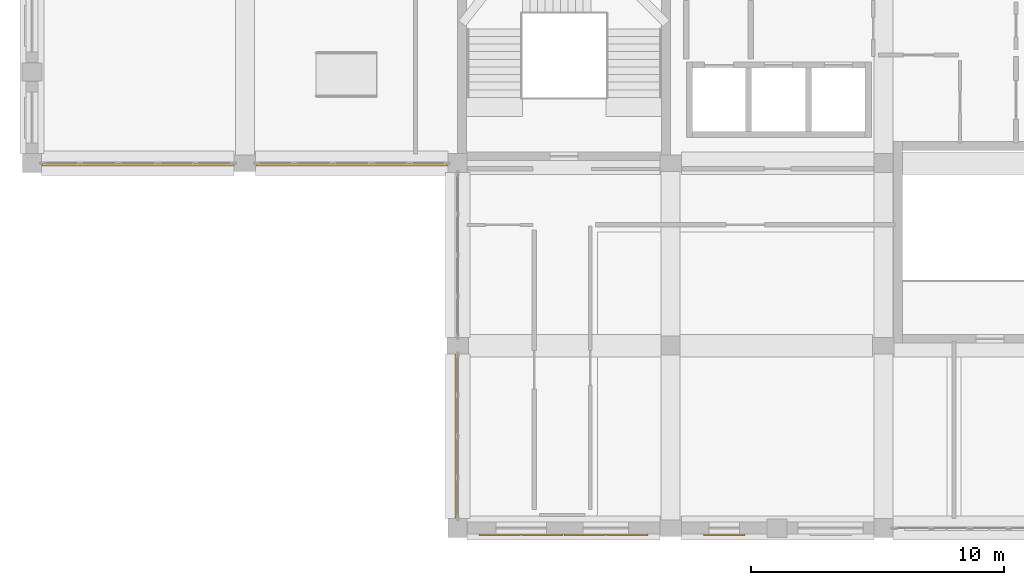
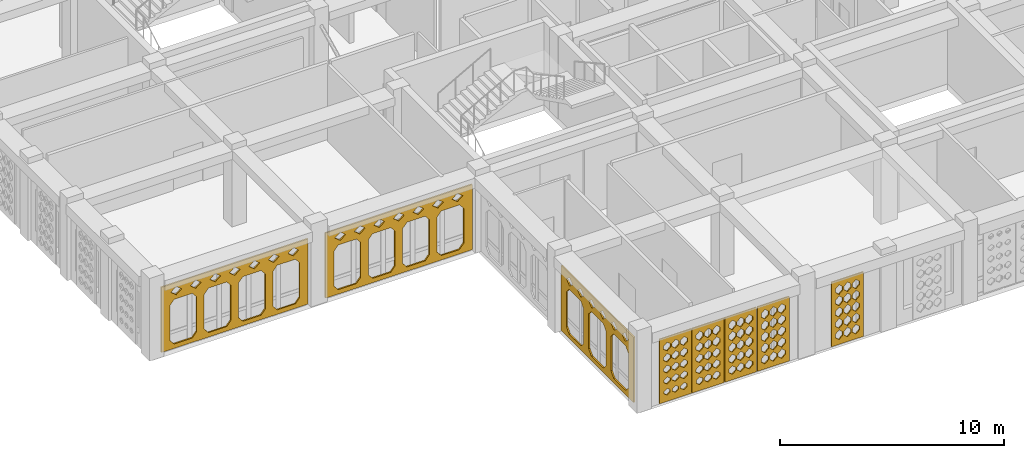
# One storey, part 74 of 111: 8 coverings.
"""IFC4 building model written with IfcOpenShell, lengths in metres."""

from ifc_helpers import new_model, si_unit, derived_unit, direction, frame, origin, place, context, subcontext, project, spatial, polyline, outline, extrude, material, layer, layer_set, type_object, element, save


model = new_model("IFC4")

# Units and contexts
model_context = context("Model", 3, precision=1e-05, world=origin(), true_north=direction((0.0, 1.0)))
body_context = subcontext(model_context, "Body", "Model", "MODEL_VIEW")
ifc_project = project(units=[si_unit("LENGTHUNIT", "METRE"), si_unit("AREAUNIT", "SQUARE_METRE"), si_unit("VOLUMEUNIT", "CUBIC_METRE"), si_unit("PLANEANGLEUNIT", "RADIAN"), si_unit("MASSUNIT", "GRAM", prefix="KILO"), derived_unit("THERMALTRANSMITTANCEUNIT", [(si_unit("POWERUNIT", "WATT"), 1), (si_unit("LENGTHUNIT", "METRE"), -2), (si_unit("THERMODYNAMICTEMPERATUREUNIT", "KELVIN"), -1)])], contexts=[model_context])

# Site, building, storey
site_placement = place(None, origin())
site = spatial("IfcSite", under=ifc_project, at=site_placement, CompositionType="ELEMENT")
building_placement = place(site_placement, origin())
building = spatial("IfcBuilding", under=site, at=building_placement, Name="Veybourne Emporium", CompositionType="ELEMENT")
storey_placement = place(building_placement, frame((0.0, 0.0, 9.89990234375)))
storey = spatial("IfcBuildingStorey", under=building, at=storey_placement, Name="L02", CompositionType="ELEMENT", Elevation=9.89990234375)

# Coverings
ifc_material_1 = material(Name="Patinated Dark Bronze Fretwork", Category="bronze")
ifc_layer_1 = layer(ifc_material_1, 0.074951171875)
ifc_layer_set_1 = layer_set([ifc_layer_1], Name="Patinated Dark Bronze Fretwork")
covering_type_1 = type_object("IfcCoveringType", Name="Fretwork_FRT-02", PredefinedType="CLADDING", material=ifc_layer_set_1)
covering_1_placement = place(storey_placement, frame((4.175048828125, 14.28955078125, 1.815185546875), z_axis=(0.0, 1.0, 0.0), x_axis=(-1.0, 0.0, 0.0)))
element("IfcCovering", 1, at=covering_1_placement, inside=storey, type_object=covering_type_1, Name="Corner entrance dark bronze lace fretwork portal L02-001", PredefinedType="CLADDING", context=body_context, shape_type="SweptSolid", body=[
    extrude(outline(polyline([(-3.780029296875, -1.77490234375), (3.780029296875, -1.77490234375), (3.780029296875, 1.77490234375), (-3.780029296875, 1.77490234375), (-3.780029296875, -1.77490234375)]), holes=[polyline([(-3.12451171875, 0.89501953125), (-2.185546875, 0.89501953125), (-1.964599609375, 0.627685546875), (-1.964599609375, -1.267578125), (-2.185546875, -1.534912109375), (-3.12451171875, -1.534912109375), (-3.34521484375, -1.267578125), (-3.34521484375, 0.627685546875), (-3.12451171875, 0.89501953125)]), polyline([(-1.3544921875, 0.89501953125), (-0.41552734375, 0.89501953125), (-0.194580078125, 0.627685546875), (-0.194580078125, -1.267578125), (-0.41552734375, -1.534912109375), (-1.3544921875, -1.534912109375), (-1.5751953125, -1.267578125), (-1.5751953125, 0.627685546875), (-1.3544921875, 0.89501953125)]), polyline([(0.41552734375, 0.89501953125), (1.3544921875, 0.89501953125), (1.5751953125, 0.627685546875), (1.5751953125, -1.267578125), (1.3544921875, -1.534912109375), (0.41552734375, -1.534912109375), (0.194580078125, -1.267578125), (0.194580078125, 0.627685546875), (0.41552734375, 0.89501953125)]), polyline([(2.185546875, 0.89501953125), (3.12451171875, 0.89501953125), (3.34521484375, 0.627685546875), (3.34521484375, -1.267578125), (3.12451171875, -1.534912109375), (2.185546875, -1.534912109375), (1.964599609375, -1.267578125), (1.964599609375, 0.627685546875), (2.185546875, 0.89501953125)]), polyline([(-3.01708984375, 1.56298828125), (-2.737060546875, 1.3349609375), (-3.01708984375, 1.10693359375), (-3.297119140625, 1.3349609375), (-3.01708984375, 1.56298828125)]), polyline([(-2.011474609375, 1.56298828125), (-1.7314453125, 1.3349609375), (-2.011474609375, 1.10693359375), (-2.29150390625, 1.3349609375), (-2.011474609375, 1.56298828125)]), polyline([(-1.005615234375, 1.56298828125), (-0.7255859375, 1.3349609375), (-1.005615234375, 1.10693359375), (-1.28564453125, 1.3349609375), (-1.005615234375, 1.56298828125)]), polyline([(0.0, 1.56298828125), (0.280029296875, 1.3349609375), (0.0, 1.10693359375), (-0.280029296875, 1.3349609375), (0.0, 1.56298828125)]), polyline([(1.005615234375, 1.56298828125), (1.28564453125, 1.3349609375), (1.005615234375, 1.10693359375), (0.7255859375, 1.3349609375), (1.005615234375, 1.56298828125)]), polyline([(2.011474609375, 1.56298828125), (2.29150390625, 1.3349609375), (2.011474609375, 1.10693359375), (1.7314453125, 1.3349609375), (2.011474609375, 1.56298828125)]), polyline([(3.01708984375, 1.56298828125), (3.297119140625, 1.3349609375), (3.01708984375, 1.10693359375), (2.737060546875, 1.3349609375), (3.01708984375, 1.56298828125)])]), origin(), (0.0, 0.0, 1.0), 0.074951171875),
])
covering_2_placement = place(storey_placement, frame((12.625, 14.2880859375, 1.815185546875), z_axis=(0.0, 1.0, 0.0), x_axis=(-1.0, 0.0, 0.0)))
element("IfcCovering", 2, at=covering_2_placement, inside=storey, type_object=covering_type_1, Name="Corner entrance dark bronze lace fretwork portal L02-012", PredefinedType="CLADDING", context=body_context, shape_type="SweptSolid", body=[
    extrude(outline(polyline([(-3.780029296875, -1.77490234375), (3.780029296875, -1.77490234375), (3.780029296875, 1.77490234375), (-3.780029296875, 1.77490234375), (-3.780029296875, -1.77490234375)]), holes=[polyline([(-3.12451171875, 0.89501953125), (-2.185546875, 0.89501953125), (-1.964599609375, 0.627685546875), (-1.964599609375, -1.267578125), (-2.185546875, -1.534912109375), (-3.12451171875, -1.534912109375), (-3.34521484375, -1.267578125), (-3.34521484375, 0.627685546875), (-3.12451171875, 0.89501953125)]), polyline([(-1.3544921875, 0.89501953125), (-0.41552734375, 0.89501953125), (-0.194580078125, 0.627685546875), (-0.194580078125, -1.267578125), (-0.41552734375, -1.534912109375), (-1.3544921875, -1.534912109375), (-1.5751953125, -1.267578125), (-1.5751953125, 0.627685546875), (-1.3544921875, 0.89501953125)]), polyline([(0.41552734375, 0.89501953125), (1.3544921875, 0.89501953125), (1.5751953125, 0.627685546875), (1.5751953125, -1.267578125), (1.3544921875, -1.534912109375), (0.41552734375, -1.534912109375), (0.194580078125, -1.267578125), (0.194580078125, 0.627685546875), (0.41552734375, 0.89501953125)]), polyline([(2.185546875, 0.89501953125), (3.12451171875, 0.89501953125), (3.34521484375, 0.627685546875), (3.34521484375, -1.267578125), (3.12451171875, -1.534912109375), (2.185546875, -1.534912109375), (1.964599609375, -1.267578125), (1.964599609375, 0.627685546875), (2.185546875, 0.89501953125)]), polyline([(-3.01708984375, 1.56298828125), (-2.737060546875, 1.3349609375), (-3.01708984375, 1.10693359375), (-3.297119140625, 1.3349609375), (-3.01708984375, 1.56298828125)]), polyline([(-2.011474609375, 1.56298828125), (-1.7314453125, 1.3349609375), (-2.011474609375, 1.10693359375), (-2.29150390625, 1.3349609375), (-2.011474609375, 1.56298828125)]), polyline([(-1.005615234375, 1.56298828125), (-0.7255859375, 1.3349609375), (-1.005615234375, 1.10693359375), (-1.28564453125, 1.3349609375), (-1.005615234375, 1.56298828125)]), polyline([(0.0, 1.56298828125), (0.280029296875, 1.3349609375), (0.0, 1.10693359375), (-0.280029296875, 1.3349609375), (0.0, 1.56298828125)]), polyline([(1.005615234375, 1.56298828125), (1.28564453125, 1.3349609375), (1.005615234375, 1.10693359375), (0.7255859375, 1.3349609375), (1.005615234375, 1.56298828125)]), polyline([(2.011474609375, 1.56298828125), (2.29150390625, 1.3349609375), (2.011474609375, 1.10693359375), (1.7314453125, 1.3349609375), (2.011474609375, 1.56298828125)]), polyline([(3.01708984375, 1.56298828125), (3.297119140625, 1.3349609375), (3.01708984375, 1.10693359375), (2.737060546875, 1.3349609375), (3.01708984375, 1.56298828125)])]), origin(), (0.0, 0.0, 1.0), 0.074951171875),
])
covering_3_placement = place(storey_placement, frame((16.69189453125, 3.625, 1.815185546875), z_axis=(1.0, 0.0, 0.0), x_axis=(0.0, 1.0, 0.0)))
element("IfcCovering", 3, at=covering_3_placement, inside=storey, type_object=covering_type_1, Name="Corner entrance dark bronze lace fretwork portal L02-015", PredefinedType="CLADDING", context=body_context, shape_type="SweptSolid", body=[
    extrude(outline(polyline([(-3.22998046875, -1.77490234375), (3.22998046875, -1.77490234375), (3.22998046875, 1.77490234375), (-3.22998046875, 1.77490234375), (-3.22998046875, -1.77490234375)]), holes=[polyline([(-2.52197265625, 0.89501953125), (-1.464599609375, 0.89501953125), (-1.2158203125, 0.627685546875), (-1.2158203125, -1.267578125), (-1.464599609375, -1.534912109375), (-2.52197265625, -1.534912109375), (-2.770751953125, -1.267578125), (-2.770751953125, 0.627685546875), (-2.52197265625, 0.89501953125)]), polyline([(-0.528564453125, 0.89501953125), (0.528564453125, 0.89501953125), (0.77734375, 0.627685546875), (0.77734375, -1.267578125), (0.528564453125, -1.534912109375), (-0.528564453125, -1.534912109375), (-0.77734375, -1.267578125), (-0.77734375, 0.627685546875), (-0.528564453125, 0.89501953125)]), polyline([(1.464599609375, 0.89501953125), (2.52197265625, 0.89501953125), (2.770751953125, 0.627685546875), (2.770751953125, -1.267578125), (2.52197265625, -1.534912109375), (1.464599609375, -1.534912109375), (1.2158203125, -1.267578125), (1.2158203125, 0.627685546875), (1.464599609375, 0.89501953125)]), polyline([(-2.47509765625, 1.56298828125), (-2.195068359375, 1.3349609375), (-2.47509765625, 1.10693359375), (-2.7548828125, 1.3349609375), (-2.47509765625, 1.56298828125)]), polyline([(-1.485107421875, 1.56298828125), (-1.205078125, 1.3349609375), (-1.485107421875, 1.10693359375), (-1.764892578125, 1.3349609375), (-1.485107421875, 1.56298828125)]), polyline([(-0.4951171875, 1.56298828125), (-0.215087890625, 1.3349609375), (-0.4951171875, 1.10693359375), (-0.77490234375, 1.3349609375), (-0.4951171875, 1.56298828125)]), polyline([(0.4951171875, 1.56298828125), (0.77490234375, 1.3349609375), (0.4951171875, 1.10693359375), (0.215087890625, 1.3349609375), (0.4951171875, 1.56298828125)]), polyline([(1.485107421875, 1.56298828125), (1.764892578125, 1.3349609375), (1.485107421875, 1.10693359375), (1.205078125, 1.3349609375), (1.485107421875, 1.56298828125)]), polyline([(2.47509765625, 1.56298828125), (2.7548828125, 1.3349609375), (2.47509765625, 1.10693359375), (2.195068359375, 1.3349609375), (2.47509765625, 1.56298828125)])]), origin(), (0.0, 0.0, 1.0), 0.074951171875),
])
ifc_material_2 = material(Name="Warm-White Perforated Aluminium Screen Alloy", Category="aluminium")
ifc_layer_2 = layer(ifc_material_2, 0.06005859375)
ifc_layer_set_2 = layer_set([ifc_layer_2], Name="Warm-White Perforated Aluminium Screen Alloy")
covering_type_2 = type_object("IfcCoveringType", Name="WaveScreen_SCR-01", PredefinedType="CLADDING", material=ifc_layer_set_2)
covering_4_placement = place(storey_placement, frame((18.455078125, -0.298095703125, 1.815185546875), z_axis=(0.0, 1.0, 0.0), x_axis=(-1.0, 0.0, 0.0)))
element("IfcCovering", 4, at=covering_4_placement, inside=storey, type_object=covering_type_2, Name="L02 wave-perforated aluminium screen SCR-01 (14.4)", PredefinedType="CLADDING", context=body_context, shape_type="SweptSolid", body=[
    extrude(outline(polyline([(-0.81982421875, -1.7548828125), (0.81982421875, -1.7548828125), (0.81982421875, 1.7548828125), (-0.81982421875, 1.7548828125), (-0.81982421875, -1.7548828125)]), holes=[polyline([(-0.433349609375, -1.03515625), (-0.265380859375, -1.15869140625), (-0.265380859375, -1.29736328125), (-0.433349609375, -1.4208984375), (-0.601318359375, -1.29736328125), (-0.601318359375, -1.15869140625), (-0.433349609375, -1.03515625)]), polyline([(-0.433349609375, -0.406982421875), (-0.25390625, -0.53955078125), (-0.25390625, -0.6884765625), (-0.433349609375, -0.821044921875), (-0.61279296875, -0.6884765625), (-0.61279296875, -0.53955078125), (-0.433349609375, -0.406982421875)]), polyline([(-0.433349609375, 0.220703125), (-0.2470703125, 0.079345703125), (-0.2470703125, -0.079345703125), (-0.433349609375, -0.220703125), (-0.61962890625, -0.079345703125), (-0.61962890625, 0.079345703125), (-0.433349609375, 0.220703125)]), polyline([(-0.433349609375, 0.847412109375), (-0.2470703125, 0.697998046875), (-0.2470703125, 0.52978515625), (-0.433349609375, 0.380615234375), (-0.61962890625, 0.52978515625), (-0.61962890625, 0.697998046875), (-0.433349609375, 0.847412109375)]), polyline([(-0.433349609375, 1.47314453125), (-0.2470703125, 1.31640625), (-0.2470703125, 1.1396484375), (-0.433349609375, 0.98291015625), (-0.61962890625, 1.1396484375), (-0.61962890625, 1.31640625), (-0.433349609375, 1.47314453125)]), polyline([(0.0, -1.04150390625), (0.16259765625, -1.160888671875), (0.16259765625, -1.295166015625), (0.0, -1.41455078125), (-0.16259765625, -1.295166015625), (-0.16259765625, -1.160888671875), (0.0, -1.04150390625)]), polyline([(0.0, -0.413330078125), (0.17431640625, -0.541748046875), (0.17431640625, -0.686279296875), (0.0, -0.814697265625), (-0.17431640625, -0.686279296875), (-0.17431640625, -0.541748046875), (0.0, -0.413330078125)]), polyline([(0.0, 0.214599609375), (0.185546875, 0.0771484375), (0.185546875, -0.0771484375), (0.0, -0.214599609375), (-0.185546875, -0.0771484375), (-0.185546875, 0.0771484375), (0.0, 0.214599609375)]), polyline([(0.0, 0.841796875), (0.186279296875, 0.696044921875), (0.186279296875, 0.531982421875), (0.0, 0.38623046875), (-0.186279296875, 0.531982421875), (-0.186279296875, 0.696044921875), (0.0, 0.841796875)]), polyline([(0.0, 1.468017578125), (0.186279296875, 1.314453125), (0.186279296875, 1.1416015625), (0.0, 0.98779296875), (-0.186279296875, 1.1416015625), (-0.186279296875, 1.314453125), (0.0, 1.468017578125)]), polyline([(0.433349609375, -1.0478515625), (0.5908203125, -1.1630859375), (0.5908203125, -1.292724609375), (0.433349609375, -1.408203125), (0.27587890625, -1.292724609375), (0.27587890625, -1.1630859375), (0.433349609375, -1.0478515625)]), polyline([(0.433349609375, -0.419921875), (0.602294921875, -0.544189453125), (0.602294921875, -0.683837890625), (0.433349609375, -0.80810546875), (0.264404296875, -0.683837890625), (0.264404296875, -0.544189453125), (0.433349609375, -0.419921875)]), polyline([(0.433349609375, 0.208251953125), (0.61376953125, 0.074951171875), (0.61376953125, -0.074951171875), (0.433349609375, -0.208251953125), (0.2529296875, -0.074951171875), (0.2529296875, 0.074951171875), (0.433349609375, 0.208251953125)]), polyline([(0.433349609375, 0.8359375), (0.61962890625, 0.69384765625), (0.61962890625, 0.5341796875), (0.433349609375, 0.39208984375), (0.2470703125, 0.5341796875), (0.2470703125, 0.69384765625), (0.433349609375, 0.8359375)]), polyline([(0.433349609375, 1.462646484375), (0.61962890625, 1.3125), (0.61962890625, 1.1435546875), (0.433349609375, 0.993408203125), (0.2470703125, 1.1435546875), (0.2470703125, 1.3125), (0.433349609375, 1.462646484375)])]), origin(), (0.0, 0.0, 1.0), 0.06005859375),
])
ifc_layer_3 = layer(ifc_material_2, 0.06005859375)
ifc_layer_set_3 = layer_set([ifc_layer_3], Name="Warm-White Perforated Aluminium Screen Alloy")
covering_type_3 = type_object("IfcCoveringType", Name="WaveScreen_SCR-02", PredefinedType="CLADDING", material=ifc_layer_set_3)
covering_5_placement = place(storey_placement, frame((23.4951171875, -0.298095703125, 1.815185546875), z_axis=(0.0, 1.0, 0.0), x_axis=(-1.0, 0.0, 0.0)))
element("IfcCovering", 5, at=covering_5_placement, inside=storey, type_object=covering_type_3, Name="L02 wave-perforated aluminium screen SCR-02 (14.1)", PredefinedType="CLADDING", context=body_context, shape_type="SweptSolid", body=[
    extrude(outline(polyline([(-0.81982421875, -1.7548828125), (0.81982421875, -1.7548828125), (0.81982421875, 1.7548828125), (-0.81982421875, 1.7548828125), (-0.81982421875, -1.7548828125)]), holes=[polyline([(-0.433349609375, -0.97021484375), (-0.2470703125, -1.13525390625), (-0.2470703125, -1.32080078125), (-0.433349609375, -1.485595703125), (-0.61962890625, -1.32080078125), (-0.61962890625, -1.13525390625), (-0.433349609375, -0.97021484375)]), polyline([(-0.433349609375, -0.35009765625), (-0.2470703125, -0.51904296875), (-0.2470703125, -0.708984375), (-0.433349609375, -0.8779296875), (-0.61962890625, -0.708984375), (-0.61962890625, -0.51904296875), (-0.433349609375, -0.35009765625)]), polyline([(-0.433349609375, 0.263916015625), (-0.2470703125, 0.094970703125), (-0.2470703125, -0.094970703125), (-0.433349609375, -0.263916015625), (-0.61962890625, -0.094970703125), (-0.61962890625, 0.094970703125), (-0.433349609375, 0.263916015625)]), polyline([(-0.433349609375, 0.8779296875), (-0.2470703125, 0.708984375), (-0.2470703125, 0.51904296875), (-0.433349609375, 0.35009765625), (-0.61962890625, 0.51904296875), (-0.61962890625, 0.708984375), (-0.433349609375, 0.8779296875)]), polyline([(-0.433349609375, 1.491943359375), (-0.2470703125, 1.322998046875), (-0.2470703125, 1.133056640625), (-0.433349609375, 0.964111328125), (-0.61962890625, 1.133056640625), (-0.61962890625, 1.322998046875), (-0.433349609375, 1.491943359375)]), polyline([(0.0, -0.974365234375), (0.186279296875, -1.13671875), (0.186279296875, -1.3193359375), (0.0, -1.481689453125), (-0.186279296875, -1.3193359375), (-0.186279296875, -1.13671875), (0.0, -0.974365234375)]), polyline([(0.0, -0.351806640625), (0.186279296875, -0.51953125), (0.186279296875, -0.70849609375), (0.0, -0.876220703125), (-0.186279296875, -0.70849609375), (-0.186279296875, -0.51953125), (0.0, -0.351806640625)]), polyline([(0.0, 0.263916015625), (0.186279296875, 0.094970703125), (0.186279296875, -0.094970703125), (0.0, -0.263916015625), (-0.186279296875, -0.094970703125), (-0.186279296875, 0.094970703125), (0.0, 0.263916015625)]), polyline([(0.0, 0.8779296875), (0.186279296875, 0.708984375), (0.186279296875, 0.51904296875), (0.0, 0.35009765625), (-0.186279296875, 0.51904296875), (-0.186279296875, 0.708984375), (0.0, 0.8779296875)]), polyline([(0.0, 1.491943359375), (0.186279296875, 1.322998046875), (0.186279296875, 1.133056640625), (0.0, 0.964111328125), (-0.186279296875, 1.133056640625), (-0.186279296875, 1.322998046875), (0.0, 1.491943359375)]), polyline([(0.433349609375, -0.97900390625), (0.61962890625, -1.13818359375), (0.61962890625, -1.317626953125), (0.433349609375, -1.47705078125), (0.2470703125, -1.317626953125), (0.2470703125, -1.13818359375), (0.433349609375, -0.97900390625)]), polyline([(0.433349609375, -0.35546875), (0.61962890625, -0.52099609375), (0.61962890625, -0.70703125), (0.433349609375, -0.87255859375), (0.2470703125, -0.70703125), (0.2470703125, -0.52099609375), (0.433349609375, -0.35546875)]), polyline([(0.433349609375, 0.263916015625), (0.61962890625, 0.094970703125), (0.61962890625, -0.094970703125), (0.433349609375, -0.263916015625), (0.2470703125, -0.094970703125), (0.2470703125, 0.094970703125), (0.433349609375, 0.263916015625)]), polyline([(0.433349609375, 0.8779296875), (0.61962890625, 0.708984375), (0.61962890625, 0.51904296875), (0.433349609375, 0.35009765625), (0.2470703125, 0.51904296875), (0.2470703125, 0.708984375), (0.433349609375, 0.8779296875)]), polyline([(0.433349609375, 1.491943359375), (0.61962890625, 1.322998046875), (0.61962890625, 1.133056640625), (0.433349609375, 0.964111328125), (0.2470703125, 1.133056640625), (0.2470703125, 1.322998046875), (0.433349609375, 1.491943359375)])]), origin(), (0.0, 0.0, 1.0), 0.06005859375),
])
ifc_layer_4 = layer(ifc_material_2, 0.06005859375)
ifc_layer_set_4 = layer_set([ifc_layer_4], Name="Warm-White Perforated Aluminium Screen Alloy")
covering_type_4 = type_object("IfcCoveringType", Name="WaveScreen_SCR-03", PredefinedType="CLADDING", material=ifc_layer_set_4)
covering_6_placement = place(storey_placement, frame((21.81494140625, -0.298095703125, 1.815185546875), z_axis=(0.0, 1.0, 0.0), x_axis=(-1.0, 0.0, 0.0)))
element("IfcCovering", 6, at=covering_6_placement, inside=storey, type_object=covering_type_4, Name="L02 wave-perforated aluminium screen SCR-03 (14.2)", PredefinedType="CLADDING", context=body_context, shape_type="SweptSolid", body=[
    extrude(outline(polyline([(-0.81982421875, -1.7548828125), (0.81982421875, -1.7548828125), (0.81982421875, 1.7548828125), (-0.81982421875, 1.7548828125), (-0.81982421875, -1.7548828125)]), holes=[polyline([(-0.433349609375, -0.98828125), (-0.2470703125, -1.1416015625), (-0.2470703125, -1.314208984375), (-0.433349609375, -1.4677734375), (-0.61962890625, -1.314208984375), (-0.61962890625, -1.1416015625), (-0.433349609375, -0.98828125)]), polyline([(-0.433349609375, -0.36328125), (-0.2470703125, -0.523681640625), (-0.2470703125, -0.7041015625), (-0.433349609375, -0.864501953125), (-0.61962890625, -0.7041015625), (-0.61962890625, -0.523681640625), (-0.433349609375, -0.36328125)]), polyline([(-0.433349609375, 0.259765625), (-0.2470703125, 0.093505859375), (-0.2470703125, -0.093505859375), (-0.433349609375, -0.259765625), (-0.61962890625, -0.093505859375), (-0.61962890625, 0.093505859375), (-0.433349609375, 0.259765625)]), polyline([(-0.433349609375, 0.8779296875), (-0.2470703125, 0.708984375), (-0.2470703125, 0.51904296875), (-0.433349609375, 0.35009765625), (-0.61962890625, 0.51904296875), (-0.61962890625, 0.708984375), (-0.433349609375, 0.8779296875)]), polyline([(-0.433349609375, 1.491943359375), (-0.2470703125, 1.322998046875), (-0.2470703125, 1.133056640625), (-0.433349609375, 0.964111328125), (-0.61962890625, 1.133056640625), (-0.61962890625, 1.322998046875), (-0.433349609375, 1.491943359375)]), polyline([(0.0, -0.99365234375), (0.186279296875, -1.1435546875), (0.186279296875, -1.3125), (0.0, -1.46240234375), (-0.186279296875, -1.3125), (-0.186279296875, -1.1435546875), (0.0, -0.99365234375)]), polyline([(0.0, -0.3681640625), (0.186279296875, -0.525390625), (0.186279296875, -0.702392578125), (0.0, -0.85986328125), (-0.186279296875, -0.702392578125), (-0.186279296875, -0.525390625), (0.0, -0.3681640625)]), polyline([(0.0, 0.255859375), (0.186279296875, 0.092041015625), (0.186279296875, -0.092041015625), (0.0, -0.255859375), (-0.186279296875, -0.092041015625), (-0.186279296875, 0.092041015625), (0.0, 0.255859375)]), polyline([(0.0, 0.8779296875), (0.186279296875, 0.708984375), (0.186279296875, 0.51904296875), (0.0, 0.35009765625), (-0.186279296875, 0.51904296875), (-0.186279296875, 0.708984375), (0.0, 0.8779296875)]), polyline([(0.0, 1.491943359375), (0.186279296875, 1.322998046875), (0.186279296875, 1.133056640625), (0.0, 0.964111328125), (-0.186279296875, 1.133056640625), (-0.186279296875, 1.322998046875), (0.0, 1.491943359375)]), polyline([(0.433349609375, -0.999267578125), (0.61962890625, -1.145751953125), (0.61962890625, -1.310302734375), (0.433349609375, -1.456787109375), (0.2470703125, -1.310302734375), (0.2470703125, -1.145751953125), (0.433349609375, -0.999267578125)]), polyline([(0.433349609375, -0.373291015625), (0.61962890625, -0.52734375), (0.61962890625, -0.70068359375), (0.433349609375, -0.854736328125), (0.2470703125, -0.70068359375), (0.2470703125, -0.52734375), (0.433349609375, -0.373291015625)]), polyline([(0.433349609375, 0.25146484375), (0.61962890625, 0.090576171875), (0.61962890625, -0.090576171875), (0.433349609375, -0.25146484375), (0.2470703125, -0.090576171875), (0.2470703125, 0.090576171875), (0.433349609375, 0.25146484375)]), polyline([(0.433349609375, 0.87451171875), (0.61962890625, 0.707763671875), (0.61962890625, 0.520263671875), (0.433349609375, 0.353515625), (0.2470703125, 0.520263671875), (0.2470703125, 0.707763671875), (0.433349609375, 0.87451171875)]), polyline([(0.433349609375, 1.491943359375), (0.61962890625, 1.322998046875), (0.61962890625, 1.133056640625), (0.433349609375, 0.964111328125), (0.2470703125, 1.133056640625), (0.2470703125, 1.322998046875), (0.433349609375, 1.491943359375)])]), origin(), (0.0, 0.0, 1.0), 0.06005859375),
])
covering_7_placement = place(storey_placement, frame((27.3125, -0.298095703125, 1.815185546875), z_axis=(0.0, 1.0, 0.0), x_axis=(-1.0, 0.0, 0.0)))
element("IfcCovering", 7, at=covering_7_placement, inside=storey, type_object=covering_type_4, Name="L02 wave-perforated aluminium screen SCR-03 (19B.1)", PredefinedType="CLADDING", context=body_context, shape_type="SweptSolid", body=[
    extrude(outline(polyline([(-0.81982421875, -1.7548828125), (0.81982421875, -1.7548828125), (0.81982421875, 1.7548828125), (-0.81982421875, 1.7548828125), (-0.81982421875, -1.7548828125)]), holes=[polyline([(-0.433349609375, -0.964111328125), (-0.2470703125, -1.133056640625), (-0.2470703125, -1.322998046875), (-0.433349609375, -1.491943359375), (-0.61962890625, -1.322998046875), (-0.61962890625, -1.133056640625), (-0.433349609375, -0.964111328125)]), polyline([(-0.433349609375, -0.35009765625), (-0.2470703125, -0.51904296875), (-0.2470703125, -0.708984375), (-0.433349609375, -0.8779296875), (-0.61962890625, -0.708984375), (-0.61962890625, -0.51904296875), (-0.433349609375, -0.35009765625)]), polyline([(-0.433349609375, 0.263916015625), (-0.2470703125, 0.094970703125), (-0.2470703125, -0.094970703125), (-0.433349609375, -0.263916015625), (-0.61962890625, -0.094970703125), (-0.61962890625, 0.094970703125), (-0.433349609375, 0.263916015625)]), polyline([(-0.433349609375, 0.877197265625), (-0.2470703125, 0.708740234375), (-0.2470703125, 0.519287109375), (-0.433349609375, 0.350830078125), (-0.61962890625, 0.519287109375), (-0.61962890625, 0.708740234375), (-0.433349609375, 0.877197265625)]), polyline([(-0.433349609375, 1.482666015625), (-0.2470703125, 1.319580078125), (-0.2470703125, 1.13623046875), (-0.433349609375, 0.973388671875), (-0.61962890625, 1.13623046875), (-0.61962890625, 1.319580078125), (-0.433349609375, 1.482666015625)]), polyline([(0.0, -0.964111328125), (0.186279296875, -1.133056640625), (0.186279296875, -1.322998046875), (0.0, -1.491943359375), (-0.186279296875, -1.322998046875), (-0.186279296875, -1.133056640625), (0.0, -0.964111328125)]), polyline([(0.0, -0.35009765625), (0.186279296875, -0.51904296875), (0.186279296875, -0.708984375), (0.0, -0.8779296875), (-0.186279296875, -0.708984375), (-0.186279296875, -0.51904296875), (0.0, -0.35009765625)]), polyline([(0.0, 0.263916015625), (0.186279296875, 0.094970703125), (0.186279296875, -0.094970703125), (0.0, -0.263916015625), (-0.186279296875, -0.094970703125), (-0.186279296875, 0.094970703125), (0.0, 0.263916015625)]), polyline([(0.0, 0.8779296875), (0.186279296875, 0.708984375), (0.186279296875, 0.51904296875), (0.0, 0.35009765625), (-0.186279296875, 0.51904296875), (-0.186279296875, 0.708984375), (0.0, 0.8779296875)]), polyline([(0.0, 1.48681640625), (0.186279296875, 1.3212890625), (0.186279296875, 1.134765625), (0.0, 0.96923828125), (-0.186279296875, 1.134765625), (-0.186279296875, 1.3212890625), (0.0, 1.48681640625)]), polyline([(0.433349609375, -0.964111328125), (0.61962890625, -1.133056640625), (0.61962890625, -1.322998046875), (0.433349609375, -1.491943359375), (0.2470703125, -1.322998046875), (0.2470703125, -1.133056640625), (0.433349609375, -0.964111328125)]), polyline([(0.433349609375, -0.35009765625), (0.61962890625, -0.51904296875), (0.61962890625, -0.708984375), (0.433349609375, -0.8779296875), (0.2470703125, -0.708984375), (0.2470703125, -0.51904296875), (0.433349609375, -0.35009765625)]), polyline([(0.433349609375, 0.263916015625), (0.61962890625, 0.094970703125), (0.61962890625, -0.094970703125), (0.433349609375, -0.263916015625), (0.2470703125, -0.094970703125), (0.2470703125, 0.094970703125), (0.433349609375, 0.263916015625)]), polyline([(0.433349609375, 0.8779296875), (0.61962890625, 0.708984375), (0.61962890625, 0.51904296875), (0.433349609375, 0.35009765625), (0.2470703125, 0.51904296875), (0.2470703125, 0.708984375), (0.433349609375, 0.8779296875)]), polyline([(0.433349609375, 1.490478515625), (0.61962890625, 1.322509765625), (0.61962890625, 1.133544921875), (0.433349609375, 0.965576171875), (0.2470703125, 1.133544921875), (0.2470703125, 1.322509765625), (0.433349609375, 1.490478515625)])]), origin(), (0.0, 0.0, 1.0), 0.06005859375),
])
ifc_layer_5 = layer(ifc_material_2, 0.06005859375)
ifc_layer_set_5 = layer_set([ifc_layer_5], Name="Warm-White Perforated Aluminium Screen Alloy")
covering_type_5 = type_object("IfcCoveringType", Name="WaveScreen_SCR-04", PredefinedType="CLADDING", material=ifc_layer_set_5)
covering_8_placement = place(storey_placement, frame((20.135009765625, -0.298095703125, 1.815185546875), z_axis=(0.0, 1.0, 0.0), x_axis=(-1.0, 0.0, 0.0)))
element("IfcCovering", 8, at=covering_8_placement, inside=storey, type_object=covering_type_5, Name="L02 wave-perforated aluminium screen SCR-04 (14.3)", PredefinedType="CLADDING", context=body_context, shape_type="SweptSolid", body=[
    extrude(outline(polyline([(-0.81982421875, -1.7548828125), (0.81982421875, -1.7548828125), (0.81982421875, 1.7548828125), (-0.81982421875, 1.7548828125), (-0.81982421875, -1.7548828125)]), holes=[polyline([(-0.433349609375, -1.010498046875), (-0.2470703125, -1.149658203125), (-0.2470703125, -1.306396484375), (-0.433349609375, -1.4453125), (-0.61962890625, -1.306396484375), (-0.61962890625, -1.149658203125), (-0.433349609375, -1.010498046875)]), polyline([(-0.433349609375, -0.383544921875), (-0.2470703125, -0.531005859375), (-0.2470703125, -0.697021484375), (-0.433349609375, -0.844482421875), (-0.61962890625, -0.697021484375), (-0.61962890625, -0.531005859375), (-0.433349609375, -0.383544921875)]), polyline([(-0.433349609375, 0.242431640625), (-0.2470703125, 0.08740234375), (-0.2470703125, -0.08740234375), (-0.433349609375, -0.242431640625), (-0.61962890625, -0.08740234375), (-0.61962890625, 0.08740234375), (-0.433349609375, 0.242431640625)]), polyline([(-0.433349609375, 0.866943359375), (-0.2470703125, 0.705078125), (-0.2470703125, 0.52294921875), (-0.433349609375, 0.361083984375), (-0.61962890625, 0.52294921875), (-0.61962890625, 0.705078125), (-0.433349609375, 0.866943359375)]), polyline([(-0.433349609375, 1.48974609375), (-0.2470703125, 1.322265625), (-0.2470703125, 1.1337890625), (-0.433349609375, 0.96630859375), (-0.61962890625, 1.1337890625), (-0.61962890625, 1.322265625), (-0.433349609375, 1.48974609375)]), polyline([(0.0, -1.016845703125), (0.182861328125, -1.152099609375), (0.182861328125, -1.303955078125), (0.0, -1.439208984375), (-0.182861328125, -1.303955078125), (-0.182861328125, -1.152099609375), (0.0, -1.016845703125)]), polyline([(0.0, -0.389404296875), (0.186279296875, -0.533203125), (0.186279296875, -0.69482421875), (0.0, -0.838623046875), (-0.186279296875, -0.69482421875), (-0.186279296875, -0.533203125), (0.0, -0.389404296875)]), polyline([(0.0, 0.2373046875), (0.186279296875, 0.08544921875), (0.186279296875, -0.08544921875), (0.0, -0.2373046875), (-0.186279296875, -0.08544921875), (-0.186279296875, 0.08544921875), (0.0, 0.2373046875)]), polyline([(0.0, 0.8623046875), (0.186279296875, 0.703369140625), (0.186279296875, 0.524658203125), (0.0, 0.365478515625), (-0.186279296875, 0.524658203125), (-0.186279296875, 0.703369140625), (0.0, 0.8623046875)]), polyline([(0.0, 1.486083984375), (0.186279296875, 1.32080078125), (0.186279296875, 1.135009765625), (0.0, 0.969970703125), (-0.186279296875, 1.135009765625), (-0.186279296875, 1.32080078125), (0.0, 1.486083984375)]), polyline([(0.433349609375, -1.023193359375), (0.611083984375, -1.154296875), (0.611083984375, -1.3017578125), (0.433349609375, -1.432861328125), (0.255615234375, -1.3017578125), (0.255615234375, -1.154296875), (0.433349609375, -1.023193359375)]), polyline([(0.433349609375, -0.395263671875), (0.61962890625, -0.535400390625), (0.61962890625, -0.692626953125), (0.433349609375, -0.832763671875), (0.2470703125, -0.692626953125), (0.2470703125, -0.535400390625), (0.433349609375, -0.395263671875)]), polyline([(0.433349609375, 0.231689453125), (0.61962890625, 0.08349609375), (0.61962890625, -0.08349609375), (0.433349609375, -0.231689453125), (0.2470703125, -0.08349609375), (0.2470703125, 0.08349609375), (0.433349609375, 0.231689453125)]), polyline([(0.433349609375, 0.857421875), (0.61962890625, 0.70166015625), (0.61962890625, 0.5263671875), (0.433349609375, 0.37060546875), (0.2470703125, 0.5263671875), (0.2470703125, 0.70166015625), (0.433349609375, 0.857421875)]), polyline([(0.433349609375, 1.48193359375), (0.61962890625, 1.3193359375), (0.61962890625, 1.13671875), (0.433349609375, 0.97412109375), (0.2470703125, 1.13671875), (0.2470703125, 1.3193359375), (0.433349609375, 1.48193359375)])]), origin(), (0.0, 0.0, 1.0), 0.06005859375),
])

save(model, "model.ifc")
